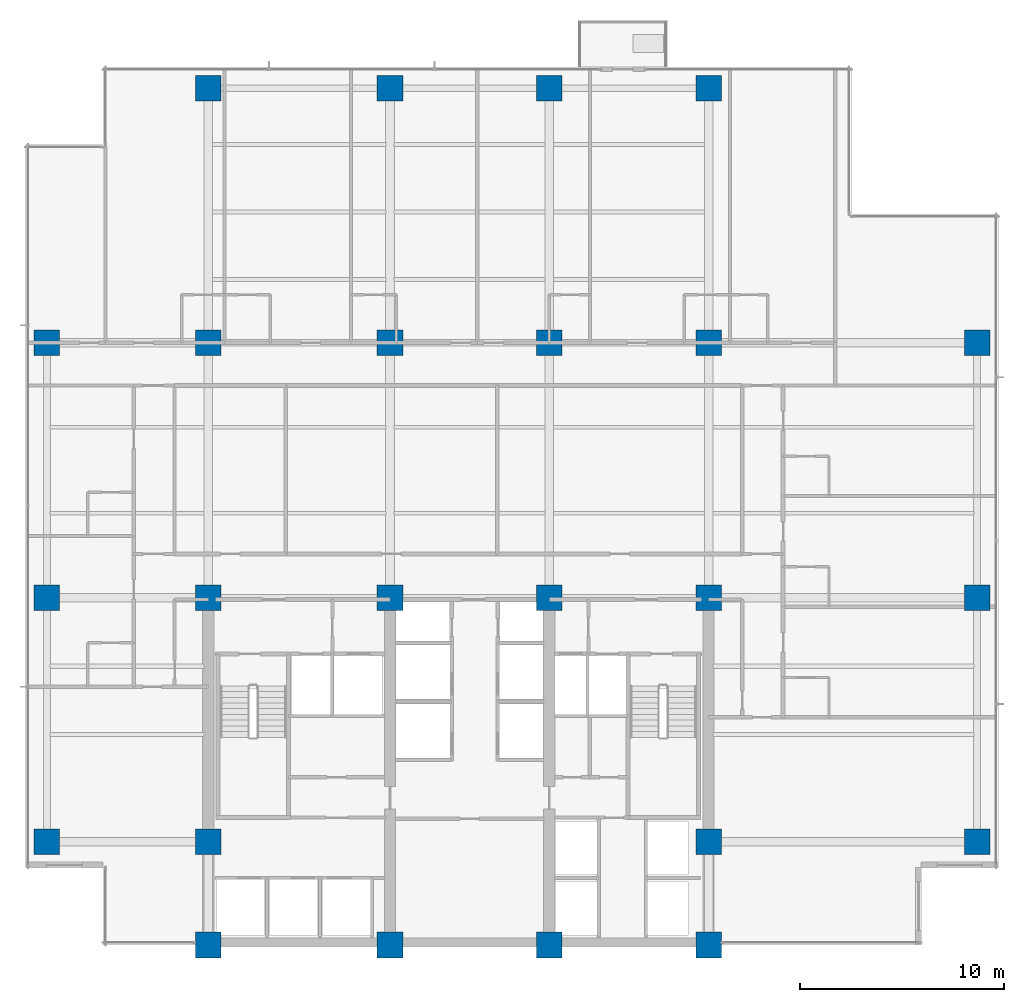
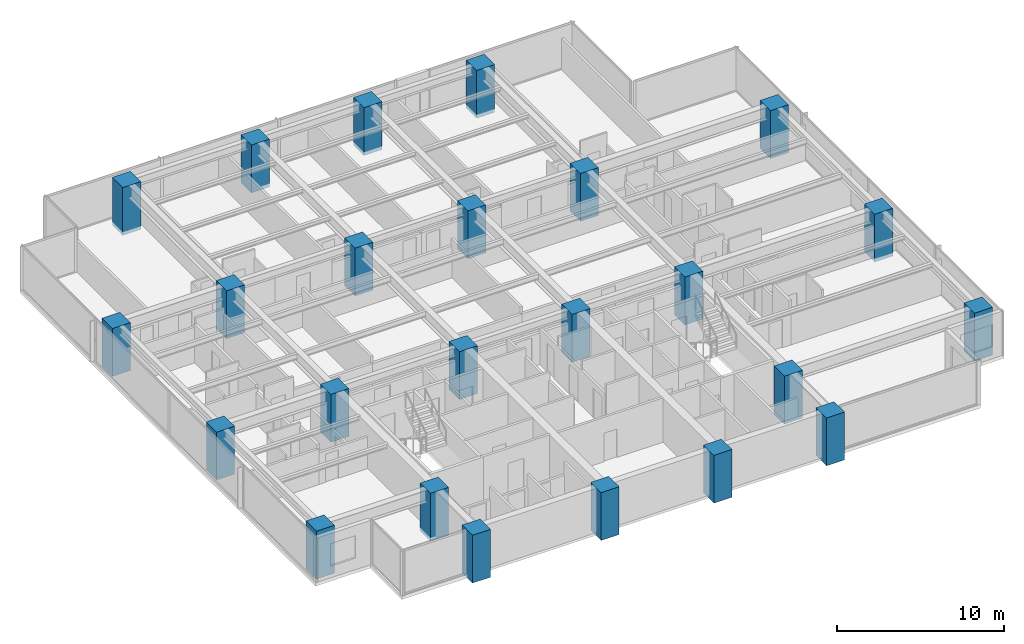
# One storey, part 1 of 17: 24 columns.
"""IFC4 building model written with IfcOpenShell, lengths in metres."""

from ifc_helpers import new_model, si_unit, direction, frame, origin, origin_2d, place, context, subcontext, project, spatial, rectangle, extrude, material, material_profile, profile_set, type_object, element, save


model = new_model("IFC4")

# Units and contexts
model_context = context("Model", 3, precision=1e-05, world=origin(), true_north=direction((0.0, 1.0)))
body_context = subcontext(model_context, "Body", "Model", "MODEL_VIEW")
ifc_project = project(units=[si_unit("LENGTHUNIT", "METRE"), si_unit("AREAUNIT", "SQUARE_METRE"), si_unit("VOLUMEUNIT", "CUBIC_METRE"), si_unit("PLANEANGLEUNIT", "RADIAN"), si_unit("MASSUNIT", "GRAM", prefix="KILO")], contexts=[model_context])

# Site, building, storey
site_placement = place(None, origin())
site = spatial("IfcSite", under=ifc_project, at=site_placement, CompositionType="ELEMENT")
building_placement = place(site_placement, origin())
building = spatial("IfcBuilding", under=site, at=building_placement, Name="Qalmaran Belvedere Hotel", CompositionType="ELEMENT")
storey_placement = place(building_placement, frame((0.0, 0.0, 102.199951171875)))
storey = spatial("IfcBuildingStorey", under=building, at=storey_placement, Name="L25", CompositionType="ELEMENT", Elevation=102.199951171875)

# Columns
ifc_material = material(Name="Concrete C60/75", Category="concrete")
ifc_material_profile = material_profile(ifc_material, rectangle(XDim=1.25, YDim=1.25, at=origin_2d()), Name="CC1250X1250")
ifc_profile_set = profile_set([ifc_material_profile], Name="Concrete C60/75")
column_type = type_object("IfcColumnType", Name="COL-Z2-CC1250", PredefinedType="COLUMN", material=ifc_profile_set)
for number, where, z_axis, x_axis, name in (
    (1, (20.300048828125, 3.5, -0.260009765625), (0.0, 0.0, 1.0), (1.0, 0.0, 0.0), "L25 Column C4B"),
    (2, (29.199951171875, 3.5, -0.260009765625), (0.0, 0.0, 1.0), (1.0, 0.0, 0.0), "L25 Column C5B"),
    (3, (37.0, 3.5, -0.260009765625), (0.0, 0.0, 1.0), (1.0, 0.0, 0.0), "L25 Column C6B"),
    (4, (44.800048828125, 3.5, -0.260009765625), (0.0, 0.0, 1.0), (1.0, 0.0, 0.0), "L25 Column C7B"),
    (5, (20.300048828125, 8.550048828125, -0.260009765625), (0.0, 0.0, 1.0), (1.0, 0.0, 0.0), "L25 Column C4C"),
    (6, (44.800048828125, 8.550048828125, -0.260009765625), (0.0, 0.0, 1.0), (1.0, 0.0, 0.0), "L25 Column C7C"),
    (7, (20.300048828125, 20.5, -0.260009765625), (0.0, 0.0, 1.0), (1.0, 0.0, 0.0), "L25 Column C4D"),
    (8, (29.199951171875, 20.5, -0.260009765625), (0.0, 0.0, 1.0), (1.0, 0.0, 0.0), "L25 Column C5D"),
    (9, (37.0, 20.5, -0.260009765625), (0.0, 0.0, 1.0), (1.0, 0.0, 0.0), "L25 Column C6D"),
    (10, (44.800048828125, 20.5, -0.260009765625), (0.0, 0.0, 1.0), (1.0, 0.0, 0.0), "L25 Column C7D"),
    (11, (20.300048828125, 33.0, -0.260009765625), (0.0, 0.0, 1.0), (1.0, 0.0, 0.0), "L25 Column C4F"),
    (12, (29.199951171875, 33.0, -0.260009765625), (0.0, 0.0, 1.0), (1.0, 0.0, 0.0), "L25 Column C5F"),
    (13, (37.0, 33.0, -0.260009765625), (0.0, 0.0, 1.0), (1.0, 0.0, 0.0), "L25 Column C6F"),
    (14, (44.800048828125, 33.0, -0.260009765625), (0.0, 0.0, 1.0), (1.0, 0.0, 0.0), "L25 Column C7F"),
    (15, (12.39990234375, 8.550048828125, -0.260009765625), (0.0, 0.0, 1.0), (1.0, 0.0, 0.0), "L25 Column CW1"),
    (16, (12.39990234375, 20.5, -0.260009765625), (0.0, 0.0, 1.0), (1.0, 0.0, 0.0), "L25 Column CW3"),
    (17, (12.39990234375, 33.0, -0.260009765625), (0.0, 0.0, 1.0), (1.0, 0.0, 0.0), "L25 Column CW4"),
    (18, (57.949951171875, 8.550048828125, -0.260009765625), (0.0, 0.0, 1.0), (1.0, 0.0, 0.0), "L25 Column CE1"),
    (19, (57.949951171875, 20.5, -0.260009765625), (0.0, 0.0, 1.0), (1.0, 0.0, 0.0), "L25 Column CE3"),
    (20, (57.949951171875, 33.0, -0.260009765625), (0.0, 0.0, 1.0), (1.0, 0.0, 0.0), "L25 Column CE4"),
    (21, (20.300048828125, 45.449951171875, -0.260009765625), (0.0, 0.0, 1.0), (1.0, 0.0, 0.0), "L25 Column CN1"),
    (22, (29.199951171875, 45.449951171875, -0.260009765625), (0.0, 0.0, 1.0), (1.0, 0.0, 0.0), "L25 Column CN2"),
    (23, (37.0, 45.449951171875, -0.260009765625), (0.0, 0.0, 1.0), (1.0, 0.0, 0.0), "L25 Column CN3"),
    (24, (44.800048828125, 45.449951171875, -0.260009765625), (0.0, 0.0, 1.0), (1.0, 0.0, 0.0), "L25 Column CN4"),
):
    element("IfcColumn", number, at=place(storey_placement, frame(where, z_axis=z_axis, x_axis=x_axis)), inside=storey, type_object=column_type, Name=name, PredefinedType="COLUMN", context=body_context, shape_type="SweptSolid", body=[
        extrude(rectangle(XDim=1.25, YDim=1.25, at=origin_2d()), origin(), (0.0, 0.0, 1.0), 3.5),
    ])

save(model, "model.ifc")
